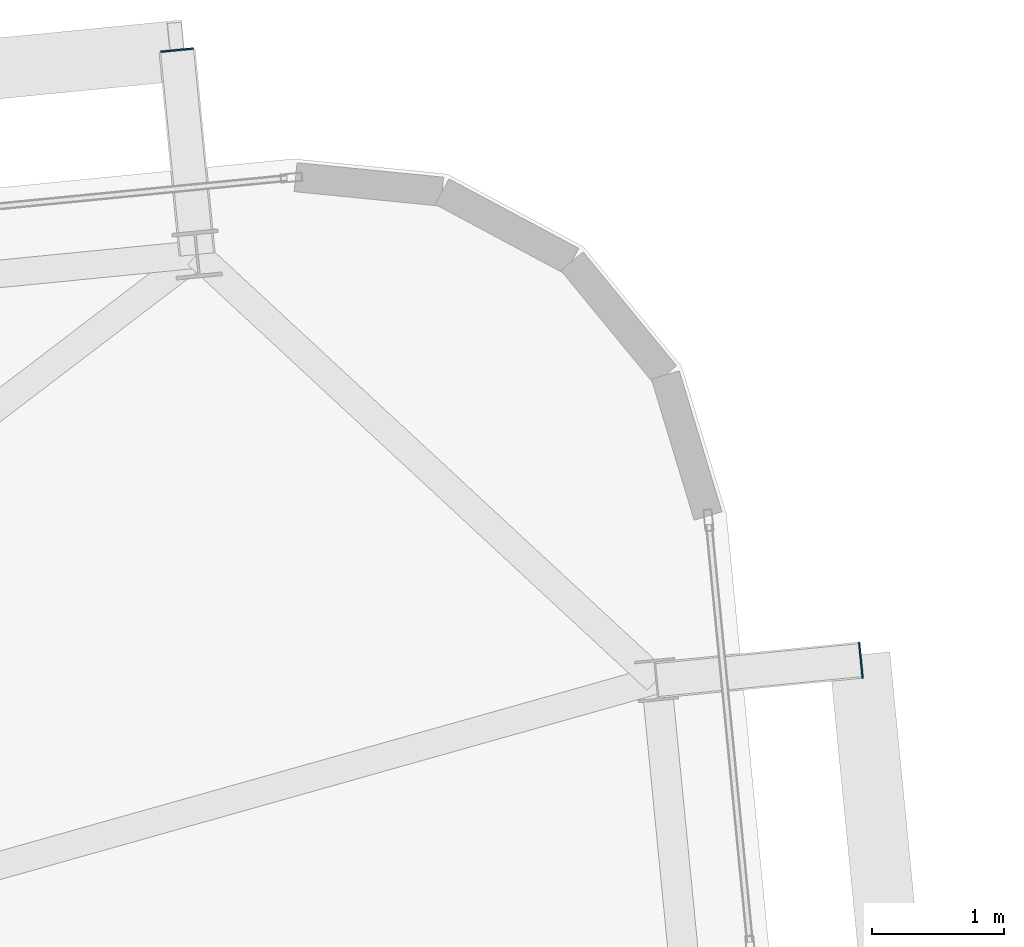
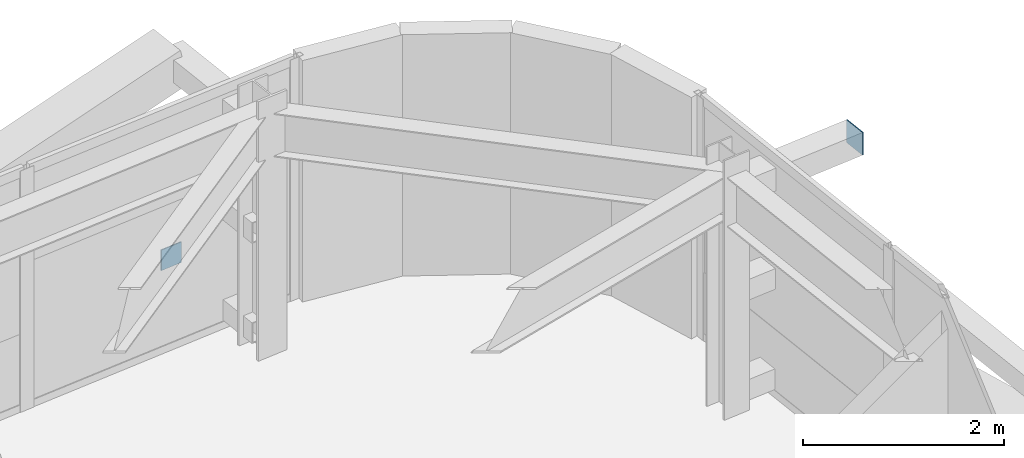
# One storey, part 45 of 53: 2 plates.
"""IFC4 building model written with IfcOpenShell, lengths in metres."""

from ifc_helpers import new_model, si_unit, direction, frame, origin, origin_2d, place, context, subcontext, project, spatial, rectangle, extrude, source, transform, mapped, material, layer, layer_set, type_object, element, save


model = new_model("IFC4")

# Units and contexts
model_context = context("Model", 3, precision=1e-05, world=origin(), true_north=direction((0.0, 1.0)))
body_context = subcontext(model_context, "Body", "Model", "MODEL_VIEW")
ifc_project = project(units=[si_unit("LENGTHUNIT", "METRE"), si_unit("AREAUNIT", "SQUARE_METRE"), si_unit("VOLUMEUNIT", "CUBIC_METRE"), si_unit("PLANEANGLEUNIT", "RADIAN"), si_unit("MASSUNIT", "GRAM", prefix="KILO")], contexts=[model_context])

# Site, building, storey
site_placement = place(None, origin())
site = spatial("IfcSite", under=ifc_project, at=site_placement, CompositionType="ELEMENT")
building_placement = place(site_placement, origin())
building = spatial("IfcBuilding", under=site, at=building_placement, Name="Taldren Reach Tower", CompositionType="ELEMENT")
storey_placement = place(building_placement, frame((0.0, 0.0, 68.25)))
storey = spatial("IfcBuildingStorey", under=building, at=storey_placement, Name="L20", CompositionType="ELEMENT", Elevation=68.25)

# Plates
ifc_material_1 = material(Name="Steel Gr 450 (C450L0)", Category="steel")
ifc_layer_1 = layer(ifc_material_1, 0.011962890625)
ifc_layer_set_1 = layer_set([ifc_layer_1], Name="Steel Gr 450 (C450L0)")
plate_type_1 = type_object("IfcPlateType", Name="PL-CAP-275", PredefinedType="SHEET", material=ifc_layer_set_1)
shared_shape_1 = source(origin(), body_context, "Body", "SweptSolid", [
    extrude(rectangle(XDim=0.011962890625, YDim=0.27490234375, at=origin_2d()), origin(), (0.0, 0.0, 1.0), 0.27490234375),
])
plate_1_placement = place(storey_placement, frame((64.7958984375, 35.60595703125, 2.512451171875), z_axis=(0.0, 0.0, 1.0), x_axis=(0.995227399982, 0.097582899759, 0.0)))
element("IfcPlate", 1, at=plate_1_placement, inside=storey, type_object=plate_type_1, Name="Tie strut end cap plate B2-E3 L20", PredefinedType="SHEET", context=body_context, shape_type="MappedRepresentation", body=[
    mapped(shared_shape_1, transform((0.0, 0.0, 0.0), scale=1.0)),
])
ifc_material_2 = material(Name="Steel Gr 350 (C350L0)", Category="steel")
ifc_layer_2 = layer(ifc_material_2, 0.011962890625)
ifc_layer_set_2 = layer_set([ifc_layer_2], Name="Steel Gr 350 (C350L0)")
plate_type_2 = type_object("IfcPlateType", Name="PL-CAP-250", PredefinedType="SHEET", material=ifc_layer_set_2)
shared_shape_2 = source(origin(), body_context, "Body", "SweptSolid", [
    extrude(rectangle(XDim=0.25, YDim=0.011962890625, at=origin_2d()), origin(), (0.0, 0.0, 1.0), 0.25),
])
plate_2_placement = place(storey_placement, frame((59.614013671875, 40.228515625, 0.094970703125), z_axis=(0.0, 0.0, 1.0), x_axis=(0.995227399982, 0.097582899759, 0.0)))
element("IfcPlate", 2, at=plate_2_placement, inside=storey, type_object=plate_type_2, Name="Tie strut end cap plate B2-N6 L20", PredefinedType="SHEET", context=body_context, shape_type="MappedRepresentation", body=[
    mapped(shared_shape_2, transform((0.0, 0.0, 0.0), scale=1.0)),
])

save(model, "model.ifc")
